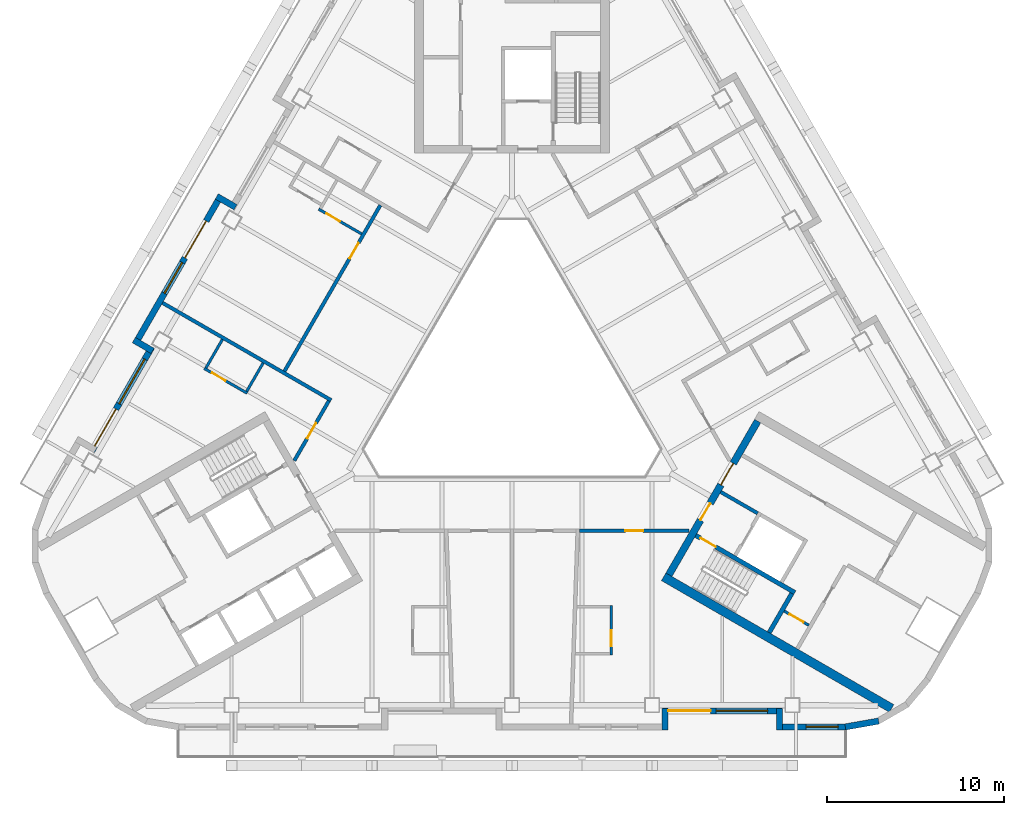
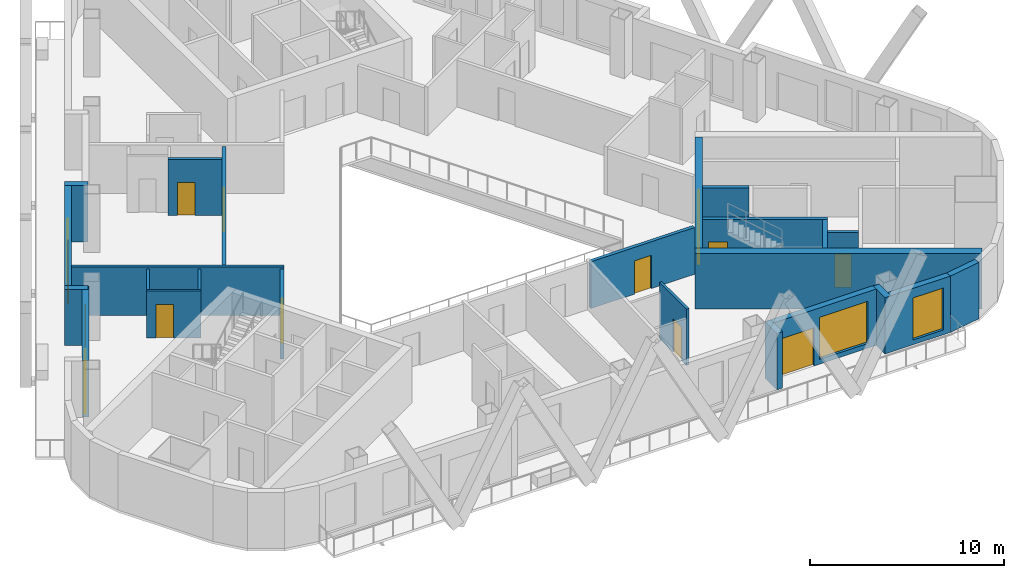
# One storey, part 4 of 13: 24 walls, 13 doors, 4 windows, 17 openings.
"""IFC4 building model written with IfcOpenShell, lengths in metres."""

from ifc_helpers import new_model, si_unit, direction, frame, frame_2d, origin, place, context, subcontext, project, spatial, rectangle, extrude, material, layer, layer_set, type_object, element, fill, save


model = new_model("IFC4")

# Units and contexts
model_context = context("Model", 3, precision=1e-05, world=origin(), true_north=direction((0.0, 1.0)))
body_context = subcontext(model_context, "Body", "Model", "MODEL_VIEW")
ifc_project = project(units=[si_unit("LENGTHUNIT", "METRE"), si_unit("AREAUNIT", "SQUARE_METRE"), si_unit("VOLUMEUNIT", "CUBIC_METRE"), si_unit("PLANEANGLEUNIT", "RADIAN"), si_unit("MASSUNIT", "GRAM", prefix="KILO")], contexts=[model_context])

# Site, building, storey
site_placement = place(None, origin())
site = spatial("IfcSite", under=ifc_project, at=site_placement, CompositionType="ELEMENT")
building_placement = place(site_placement, origin())
building = spatial("IfcBuilding", under=site, at=building_placement, Name="Apuvela Tower Hotel", CompositionType="ELEMENT")
storey_placement = place(building_placement, frame((0.0, 0.0, 183.60009765625)))
storey = spatial("IfcBuildingStorey", under=building, at=storey_placement, Name="L44", CompositionType="ELEMENT", Elevation=183.60009765625)

# Wall, openings, doors
ifc_material_1 = material(Name="Concrete C50/60", Category="concrete")
ifc_layer_1 = layer(ifc_material_1, 0.39990234375)
ifc_layer_set_1 = layer_set([ifc_layer_1], Name="COR-WALL-CORE-400")
wall_type_1 = type_object("IfcWallType", Name="COR-WALL-CORE-400", PredefinedType="SHEAR", material=ifc_layer_set_1)
wall_1_placement = place(storey_placement, frame((8.844970703125, -10.880126953125, 0.0), z_axis=(0.0, 0.0, 1.0), x_axis=(0.500004234368, 0.866022959057, 0.0)))
wall_1 = element("IfcWall", 1, at=wall_1_placement, inside=storey, type_object=wall_type_1, Name="Core wall SE", PredefinedType="SHEAR", context=body_context, shape_type="SweptSolid", body=[
    extrude(rectangle(XDim=10.0, YDim=0.39990234375, at=frame_2d((5.0, 0.0))), origin(), (0.0, 0.0, 1.0), 3.5),
])
opening_1_placement = place(wall_1_placement, frame((3.550048828125, 0.0, 0.0)))
opening_1 = element("IfcOpeningElement", 2, at=opening_1_placement, cuts=wall_1, Name="Opening E-FD", PredefinedType="OPENING", context=body_context, shape_type="SweptSolid", body=[
    extrude(rectangle(XDim=1.10009765625, YDim=2.10009765625, at=frame_2d((0.550048828125, 1.050048828125))), frame((0.0, 0.2099609375, 0.0), z_axis=(0.0, -1.0, 0.0), x_axis=(1.0, 0.0, 0.0)), (0.0, 0.0, 1.0), 0.419921875),
])
opening_2_placement = place(wall_1_placement, frame((5.85009765625, 0.0, 0.0)))
opening_2 = element("IfcOpeningElement", 3, at=opening_2_placement, cuts=wall_1, Name="Opening E-GD", PredefinedType="OPENING", context=body_context, shape_type="SweptSolid", body=[
    extrude(rectangle(XDim=1.39990234375, YDim=2.10009765625, at=frame_2d((0.699951171875, 1.050048828125))), frame((0.0, 0.2099609375, 0.0), z_axis=(0.0, -1.0, 0.0), x_axis=(1.0, 0.0, 0.0)), (0.0, 0.0, 1.0), 0.419921875),
])
ifc_material_2 = material(Name="Steel fire door, powder coated", Category="steel")
door_type_1 = type_object("IfcDoorType", Name="COR-FD-1100", OperationType="NOTDEFINED", PredefinedType="DOOR", material=ifc_material_2)
door_1_placement = place(opening_1_placement, frame((1.10009765625, 0.0, 0.0), z_axis=(0.0, 0.0, 1.0), x_axis=(-1.0, 0.0, 0.0)))
door_1 = element("IfcDoor", 4, at=door_1_placement, inside=storey, type_object=door_type_1, Name="Firefighting lobby door E-FD", OperationType="SINGLE_SWING_LEFT", OverallHeight=2.10009765625, OverallWidth=1.10009765625, PredefinedType="DOOR", context=body_context, shape_type="SweptSolid", body=[
    extrude(rectangle(XDim=1.10009765625, YDim=2.10009765625, at=frame_2d((0.550048828125, 1.050048828125))), frame((0.0, 0.02490234375, 0.0), z_axis=(0.0, -1.0, 0.0), x_axis=(1.0, 0.0, 0.0)), (0.0, 0.0, 1.0), 0.050048828125),
])
fill(opening_1, door_1)
ifc_material_3 = material(Name="Glazed steel fire door", Category="steel")
door_type_2 = type_object("IfcDoorType", Name="COR-GD-1400", OperationType="DOUBLE_DOOR_SINGLE_SWING", PredefinedType="DOOR", material=ifc_material_3)
door_2_placement = place(opening_2_placement, frame((1.39990234375, 0.0, 0.0), z_axis=(0.0, 0.0, 1.0), x_axis=(-1.0, 0.0, 0.0)))
door_2 = element("IfcDoor", 5, at=door_2_placement, inside=storey, type_object=door_type_2, Name="Lift lobby door E-GD", OperationType="DOUBLE_DOOR_SINGLE_SWING", OverallHeight=2.10009765625, OverallWidth=1.39990234375, PredefinedType="DOOR", context=body_context, shape_type="SweptSolid", body=[
    extrude(rectangle(XDim=1.39990234375, YDim=2.10009765625, at=frame_2d((0.699951171875, 1.050048828125))), frame((0.0, 0.02490234375, 0.0), z_axis=(0.0, -1.0, 0.0), x_axis=(1.0, 0.0, 0.0)), (0.0, 0.0, 1.0), 0.050048828125),
])
fill(opening_2, door_2)

# Wall
ifc_layer_2 = layer(ifc_material_1, 0.5)
ifc_layer_set_2 = layer_set([ifc_layer_2], Name="COR-WALL-CORE-500")
wall_type_2 = type_object("IfcWallType", Name="COR-WALL-CORE-500", PredefinedType="SHEAR", material=ifc_layer_set_2)
wall_2_placement = place(storey_placement, frame((8.546630859375, -10.99658203125, 0.0), z_axis=(0.0, 0.0, 1.0), x_axis=(0.866025009528, -0.500000682871, 0.0)))
element("IfcWall", 6, at=wall_2_placement, inside=storey, type_object=wall_type_2, Name="Core wall SE", PredefinedType="SHEAR", context=body_context, shape_type="SweptSolid", body=[
    extrude(rectangle(XDim=14.8369140625, YDim=0.5, at=frame_2d((7.41845703125, 0.0))), origin(), (0.0, 0.0, 1.0), 3.5),
])

# Wall, opening, door
ifc_material_4 = material(Name="Blockwork 150 mm plastered", Category="masonry")
ifc_layer_3 = layer(ifc_material_4, 0.14990234375)
ifc_layer_set_3 = layer_set([ifc_layer_3], Name="COR-WALL-PART-150")
wall_type_3 = type_object("IfcWallType", Name="COR-WALL-PART-150", PredefinedType="PARTITIONING", material=ifc_layer_set_3)
wall_3_placement = place(storey_placement, frame((15.341552734375, -12.927734375, 0.0), z_axis=(0.0, 0.0, 1.0), x_axis=(0.865989903783, -0.500061482766, 0.0)))
wall_3 = element("IfcWall", 7, at=wall_3_placement, inside=storey, type_object=wall_type_3, Name="Partition SE", PredefinedType="PARTITIONING", context=body_context, shape_type="SweptSolid", body=[
    extrude(rectangle(XDim=1.599853515625, YDim=0.14990234375, at=frame_2d((0.7998046875, 0.0))), origin(), (0.0, 0.0, 1.0), 3.5),
])
opening_3_placement = place(wall_3_placement, frame((0.35009765625, 0.0, 0.0)))
opening_3 = element("IfcOpeningElement", 8, at=opening_3_placement, cuts=wall_3, Name="Opening E-RD", PredefinedType="OPENING", context=body_context, shape_type="SweptSolid", body=[
    extrude(rectangle(XDim=0.89990234375, YDim=2.10009765625, at=frame_2d((0.449951171875, 1.050048828125))), frame((0.0, 0.0849609375, 0.0), z_axis=(0.0, -1.0, 0.0), x_axis=(1.0, 0.0, 0.0)), (0.0, 0.0, 1.0), 0.169921875),
])
ifc_material_5 = material(Name="Steel access door, powder coated", Category="steel")
door_type_3 = type_object("IfcDoorType", Name="COR-RD-900", OperationType="NOTDEFINED", PredefinedType="DOOR", material=ifc_material_5)
door_3_placement = place(opening_3_placement, frame((0.89990234375, 0.0, 0.0), z_axis=(0.0, 0.0, 1.0), x_axis=(-1.0, 0.0, 0.0)))
door_3 = element("IfcDoor", 9, at=door_3_placement, inside=storey, type_object=door_type_3, Name="Riser door E-RD", OperationType="SINGLE_SWING_LEFT", OverallHeight=2.10009765625, OverallWidth=0.89990234375, PredefinedType="DOOR", context=body_context, shape_type="SweptSolid", body=[
    extrude(rectangle(XDim=0.89990234375, YDim=2.10009765625, at=frame_2d((0.449951171875, 1.050048828125))), frame((0.0, 0.02490234375, 0.0), z_axis=(0.0, -1.0, 0.0), x_axis=(1.0, 0.0, 0.0)), (0.0, 0.0, 1.0), 0.050048828125),
])
fill(opening_3, door_3)

# Wall
ifc_layer_4 = layer(ifc_material_1, 0.199951171875)
ifc_layer_set_4 = layer_set([ifc_layer_4], Name="COR-WALL-SHAFT-200")
wall_type_4 = type_object("IfcWallType", Name="COR-WALL-SHAFT-200", PredefinedType="SHEAR", material=ifc_layer_set_4)
wall_4_placement = place(storey_placement, frame((11.76806640625, -6.217041015625, 0.0), z_axis=(0.0, 0.0, 1.0), x_axis=(0.866050077142, -0.499957262057, 0.0)))
element("IfcWall", 10, at=wall_4_placement, inside=storey, type_object=wall_type_4, Name="Shaft wall SE", PredefinedType="SHEAR", context=body_context, shape_type="SweptSolid", body=[
    extrude(rectangle(XDim=2.400146484375, YDim=0.199951171875, at=frame_2d((1.2001953125, 0.0))), origin(), (0.0, 0.0, 1.0), 3.5),
])

# Wall, opening, door
ifc_layer_5 = layer(ifc_material_1, 0.25)
ifc_layer_set_5 = layer_set([ifc_layer_5], Name="COR-WALL-STAIR-250")
wall_type_5 = type_object("IfcWallType", Name="COR-WALL-STAIR-250", PredefinedType="SHEAR", material=ifc_layer_set_5)
wall_5_placement = place(storey_placement, frame((10.355712890625, -8.66357421875, 0.0), z_axis=(0.0, 0.0, 1.0), x_axis=(0.866028629588, -0.499994412703, 0.0)))
wall_5 = element("IfcWall", 11, at=wall_5_placement, inside=storey, type_object=wall_type_5, Name="Stair wall SE", PredefinedType="SHEAR", context=body_context, shape_type="SweptSolid", body=[
    extrude(rectangle(XDim=6.44970703125, YDim=0.25, at=frame_2d((3.224853515625, 0.0))), origin(), (0.0, 0.0, 1.0), 3.5),
])
opening_4_placement = place(wall_5_placement, frame((0.300048828125, 0.0, 0.0)))
opening_4 = element("IfcOpeningElement", 12, at=opening_4_placement, cuts=wall_5, Name="Opening E-SD", PredefinedType="OPENING", context=body_context, shape_type="SweptSolid", body=[
    extrude(rectangle(XDim=1.0, YDim=2.10009765625, at=frame_2d((0.5, 1.050048828125))), frame((0.0, 0.135009765625, 0.0), z_axis=(0.0, -1.0, 0.0), x_axis=(1.0, 0.0, 0.0)), (0.0, 0.0, 1.0), 0.27001953125),
])
door_type_4 = type_object("IfcDoorType", Name="COR-SD-1000", OperationType="NOTDEFINED", PredefinedType="DOOR", material=ifc_material_2)
door_4_placement = place(opening_4_placement, frame((1.0, 0.0, 0.0), z_axis=(0.0, 0.0, 1.0), x_axis=(-1.0, 0.0, 0.0)))
door_4 = element("IfcDoor", 13, at=door_4_placement, inside=storey, type_object=door_type_4, Name="Stair door E-SD", OperationType="SINGLE_SWING_LEFT", OverallHeight=2.10009765625, OverallWidth=1.0, PredefinedType="DOOR", context=body_context, shape_type="SweptSolid", body=[
    extrude(rectangle(XDim=1.0, YDim=2.10009765625, at=frame_2d((0.5, 1.050048828125))), frame((0.0, 0.02490234375, 0.0), z_axis=(0.0, -1.0, 0.0), x_axis=(1.0, 0.0, 0.0)), (0.0, 0.0, 1.0), 0.050048828125),
])
fill(opening_4, door_4)

# Walls
wall_6_placement = place(storey_placement, frame((14.49560546875, -14.142578125, 0.0), z_axis=(0.0, 0.0, 1.0), x_axis=(0.500062241894, 0.865989465428, 0.0)))
element("IfcWall", 14, at=wall_6_placement, inside=storey, type_object=wall_type_5, Name="Stair wall SE", PredefinedType="SHEAR", context=body_context, shape_type="SweptSolid", body=[
    extrude(rectangle(XDim=2.550048828125, YDim=0.25, at=frame_2d((1.27490234375, 0.0))), origin(), (0.0, 0.0, 1.0), 3.5),
])
ifc_material_6 = material(Name="Concrete C40/50, dark pigmented precast panel", Category="concrete")
ifc_layer_6 = layer(ifc_material_6, 0.35009765625)
ifc_layer_set_6 = layer_set([ifc_layer_6], Name="ENV-WALL-350")
wall_type_6 = type_object("IfcWallType", Name="ENV-WALL-350", PredefinedType="SOLIDWALL", material=ifc_layer_set_6)
wall_7_placement = place(storey_placement, frame((-15.580810546875, 9.8330078125, 0.0), z_axis=(0.0, 0.0, 1.0), x_axis=(-0.866055662726, 0.499947586314, 0.0)))
element("IfcWall", 15, at=wall_7_placement, inside=storey, type_object=wall_type_6, Name="External wall L44-04", PredefinedType="SOLIDWALL", context=body_context, shape_type="SweptSolid", body=[
    extrude(rectangle(XDim=1.220458984375, YDim=0.35009765625, at=frame_2d((0.6103515625, 0.0))), origin(), (0.0, 0.0, 1.0), 3.5498046875),
])

# Wall, openings, door, window
wall_8_placement = place(storey_placement, frame((-16.3984375, 10.507080078125, 0.0), z_axis=(0.0, 0.0, 1.0), x_axis=(-0.499999142773, -0.866025898704, 0.0)))
wall_8 = element("IfcWall", 16, at=wall_8_placement, inside=storey, type_object=wall_type_6, Name="External wall L44-05", PredefinedType="SOLIDWALL", context=body_context, shape_type="SweptSolid", body=[
    extrude(rectangle(XDim=9.7001953125, YDim=0.35009765625, at=frame_2d((4.85009765625, 0.0))), origin(), (0.0, 0.0, 1.0), 3.5498046875),
])
opening_5_placement = place(wall_8_placement, frame((1.67529296875, 0.0, 0.0)))
opening_5 = element("IfcOpeningElement", 17, at=opening_5_placement, cuts=wall_8, Name="Opening BD24", PredefinedType="OPENING", context=body_context, shape_type="SweptSolid", body=[
    extrude(rectangle(XDim=2.39990234375, YDim=2.39990234375, at=frame_2d((1.199951171875, 1.199951171875))), frame((0.0, 0.18505859375, 0.0), z_axis=(0.0, -1.0, 0.0), x_axis=(1.0, 0.0, 0.0)), (0.0, 0.0, 1.0), 0.3701171875),
])
opening_6_placement = place(wall_8_placement, frame((4.37548828125, 0.0, 0.300048828125)))
opening_6 = element("IfcOpeningElement", 18, at=opening_6_placement, cuts=wall_8, Name="Opening WN20", PredefinedType="OPENING", context=body_context, shape_type="SweptSolid", body=[
    extrude(rectangle(XDim=2.0, YDim=2.64990234375, at=frame_2d((1.0, 1.324951171875))), frame((0.0, 0.18505859375, 0.0), z_axis=(0.0, -1.0, 0.0), x_axis=(1.0, 0.0, 0.0)), (0.0, 0.0, 1.0), 0.3701171875),
])
ifc_material_7 = material(Name="Aluminium 6063-T6, dark bronze anodised frame with dark tinted laminated glass", Category="aluminium")
door_type_5 = type_object("IfcDoorType", Name="ENV-DOOR-BALCONY-2400x2400", OperationType="SLIDING_TO_LEFT", PredefinedType="DOOR", material=ifc_material_7)
door_5_placement = place(opening_5_placement, frame((2.39990234375, 0.0, 0.0), z_axis=(0.0, 0.0, 1.0), x_axis=(-1.0, 0.0, 0.0)))
door_5 = element("IfcDoor", 19, at=door_5_placement, inside=storey, type_object=door_type_5, Name="Balcony door BD24", OperationType="SLIDING_TO_LEFT", OverallHeight=2.39990234375, OverallWidth=2.39990234375, PredefinedType="DOOR", context=body_context, shape_type="SweptSolid", body=[
    extrude(rectangle(XDim=2.39990234375, YDim=2.39990234375, at=frame_2d((1.199951171875, 1.199951171875))), frame((0.0, 0.02490234375, 0.0), z_axis=(0.0, -1.0, 0.0), x_axis=(1.0, 0.0, 0.0)), (0.0, 0.0, 1.0), 0.050048828125),
])
fill(opening_5, door_5)
ifc_material_8 = material(Name="Glass, dark tinted laminated insulated glazing unit", Category="glass")
window_type_1 = type_object("IfcWindowType", Name="ENV-WIN-2000x2650", PartitioningType="SINGLE_PANEL", PredefinedType="WINDOW", material=ifc_material_8)
window_1_placement = place(opening_6_placement, origin())
window_1 = element("IfcWindow", 20, at=window_1_placement, inside=storey, type_object=window_type_1, Name="Window WN20", OverallHeight=2.64990234375, OverallWidth=2.0, PartitioningType="SINGLE_PANEL", PredefinedType="WINDOW", context=body_context, shape_type="SweptSolid", body=[
    extrude(rectangle(XDim=2.0, YDim=2.64990234375, at=frame_2d((1.0, 1.324951171875))), frame((0.0, 0.030029296875, 0.0), z_axis=(0.0, -1.0, 0.0), x_axis=(1.0, 0.0, 0.0)), (0.0, 0.0, 1.0), 0.06005859375),
])
fill(opening_6, window_1)

# Wall
wall_9_placement = place(storey_placement, frame((-21.3125, 2.345703125, 0.0), z_axis=(0.0, 0.0, 1.0), x_axis=(0.866005645448, -0.500034220881, 0.0)))
element("IfcWall", 21, at=wall_9_placement, inside=storey, type_object=wall_type_6, Name="External wall L44-06", PredefinedType="SOLIDWALL", context=body_context, shape_type="SweptSolid", body=[
    extrude(rectangle(XDim=1.22021484375, YDim=0.35009765625, at=frame_2d((0.610107421875, 0.0))), origin(), (0.0, 0.0, 1.0), 3.5498046875),
])

# Wall, openings, door, window
wall_10_placement = place(storey_placement, frame((-20.30908203125, 1.93359375, 0.0), z_axis=(0.0, 0.0, 1.0), x_axis=(-0.499992114976, -0.866029956157, 0.0)))
wall_10 = element("IfcWall", 22, at=wall_10_placement, inside=storey, type_object=wall_type_6, Name="External wall L44-07", PredefinedType="SOLIDWALL", context=body_context, shape_type="SweptSolid", body=[
    extrude(rectangle(XDim=6.73974609375, YDim=0.35009765625, at=frame_2d((3.369873046875, 0.0))), origin(), (0.0, 0.0, 1.0), 3.5498046875),
])
opening_7_placement = place(wall_10_placement, frame((4.02001953125, 0.0, 0.0)))
opening_7 = element("IfcOpeningElement", 23, at=opening_7_placement, cuts=wall_10, Name="Opening BD24", PredefinedType="OPENING", context=body_context, shape_type="SweptSolid", body=[
    extrude(rectangle(XDim=2.39990234375, YDim=2.39990234375, at=frame_2d((1.199951171875, 1.199951171875))), frame((0.0, 0.18505859375, 0.0), z_axis=(0.0, -1.0, 0.0), x_axis=(1.0, 0.0, 0.0)), (0.0, 0.0, 1.0), 0.3701171875),
])
opening_8_placement = place(wall_10_placement, frame((0.77001953125, 0.0, 0.300048828125)))
opening_8 = element("IfcOpeningElement", 24, at=opening_8_placement, cuts=wall_10, Name="Opening WN29", PredefinedType="OPENING", context=body_context, shape_type="SweptSolid", body=[
    extrude(rectangle(XDim=2.89990234375, YDim=2.64990234375, at=frame_2d((1.449951171875, 1.324951171875))), frame((0.0, 0.18505859375, 0.0), z_axis=(0.0, -1.0, 0.0), x_axis=(1.0, 0.0, 0.0)), (0.0, 0.0, 1.0), 0.3701171875),
])
door_6_placement = place(opening_7_placement, frame((2.39990234375, 0.0, 0.0), z_axis=(0.0, 0.0, 1.0), x_axis=(-1.0, 0.0, 0.0)))
door_6 = element("IfcDoor", 25, at=door_6_placement, inside=storey, type_object=door_type_5, Name="Balcony door BD24", OperationType="SLIDING_TO_LEFT", OverallHeight=2.39990234375, OverallWidth=2.39990234375, PredefinedType="DOOR", context=body_context, shape_type="SweptSolid", body=[
    extrude(rectangle(XDim=2.39990234375, YDim=2.39990234375, at=frame_2d((1.199951171875, 1.199951171875))), frame((0.0, 0.02490234375, 0.0), z_axis=(0.0, -1.0, 0.0), x_axis=(1.0, 0.0, 0.0)), (0.0, 0.0, 1.0), 0.050048828125),
])
fill(opening_7, door_6)
window_type_2 = type_object("IfcWindowType", Name="ENV-WIN-2900x2650", PartitioningType="SINGLE_PANEL", PredefinedType="WINDOW", material=ifc_material_8)
window_2_placement = place(opening_8_placement, origin())
window_2 = element("IfcWindow", 26, at=window_2_placement, inside=storey, type_object=window_type_2, Name="Window WN29", OverallHeight=2.64990234375, OverallWidth=2.89990234375, PartitioningType="SINGLE_PANEL", PredefinedType="WINDOW", context=body_context, shape_type="SweptSolid", body=[
    extrude(rectangle(XDim=2.89990234375, YDim=2.64990234375, at=frame_2d((1.449951171875, 1.324951171875))), frame((0.0, 0.030029296875, 0.0), z_axis=(0.0, -1.0, 0.0), x_axis=(1.0, 0.0, 0.0)), (0.0, 0.0, 1.0), 0.06005859375),
])
fill(opening_8, window_2)

# Wall
wall_11_placement = place(storey_placement, frame((8.625, -19.6298828125, 0.0), z_axis=(0.0, 0.0, 1.0), x_axis=(0.0, 1.0, 0.0)))
element("IfcWall", 27, at=wall_11_placement, inside=storey, type_object=wall_type_6, Name="External wall L44-22", PredefinedType="SOLIDWALL", context=body_context, shape_type="SweptSolid", body=[
    extrude(rectangle(XDim=1.219970703125, YDim=0.35009765625, at=frame_2d((0.60986328125, 0.0))), origin(), (0.0, 0.0, 1.0), 3.5498046875),
])

# Wall, openings, door, window
wall_12_placement = place(storey_placement, frame((8.47998046875, -18.554931640625, 0.0), z_axis=(0.0, 0.0, 1.0), x_axis=(1.0, 0.0, 0.0)))
wall_12 = element("IfcWall", 28, at=wall_12_placement, inside=storey, type_object=wall_type_6, Name="External wall L44-23", PredefinedType="SOLIDWALL", context=body_context, shape_type="SweptSolid", body=[
    extrude(rectangle(XDim=6.739990234375, YDim=0.35009765625, at=frame_2d((3.3701171875, 0.0))), origin(), (0.0, 0.0, 1.0), 3.5498046875),
])
opening_9_placement = place(wall_12_placement, frame((0.3203125, 0.0, 0.0)))
opening_9 = element("IfcOpeningElement", 29, at=opening_9_placement, cuts=wall_12, Name="Opening BD24", PredefinedType="OPENING", context=body_context, shape_type="SweptSolid", body=[
    extrude(rectangle(XDim=2.39990234375, YDim=2.39990234375, at=frame_2d((1.199951171875, 1.199951171875))), frame((0.0, 0.18505859375, 0.0), z_axis=(0.0, -1.0, 0.0), x_axis=(1.0, 0.0, 0.0)), (0.0, 0.0, 1.0), 0.3701171875),
])
opening_10_placement = place(wall_12_placement, frame((3.020263671875, 0.0, 0.300048828125)))
opening_10 = element("IfcOpeningElement", 30, at=opening_10_placement, cuts=wall_12, Name="Opening WN29", PredefinedType="OPENING", context=body_context, shape_type="SweptSolid", body=[
    extrude(rectangle(XDim=2.89990234375, YDim=2.64990234375, at=frame_2d((1.449951171875, 1.324951171875))), frame((0.0, 0.18505859375, 0.0), z_axis=(0.0, -1.0, 0.0), x_axis=(1.0, 0.0, 0.0)), (0.0, 0.0, 1.0), 0.3701171875),
])
door_7_placement = place(opening_9_placement, frame((2.39990234375, 0.0, 0.0), z_axis=(0.0, 0.0, 1.0), x_axis=(-1.0, 0.0, 0.0)))
door_7 = element("IfcDoor", 31, at=door_7_placement, inside=storey, type_object=door_type_5, Name="Balcony door BD24", OperationType="SLIDING_TO_LEFT", OverallHeight=2.39990234375, OverallWidth=2.39990234375, PredefinedType="DOOR", context=body_context, shape_type="SweptSolid", body=[
    extrude(rectangle(XDim=2.39990234375, YDim=2.39990234375, at=frame_2d((1.199951171875, 1.199951171875))), frame((0.0, 0.02490234375, 0.0), z_axis=(0.0, -1.0, 0.0), x_axis=(1.0, 0.0, 0.0)), (0.0, 0.0, 1.0), 0.050048828125),
])
fill(opening_9, door_7)
window_3_placement = place(opening_10_placement, origin())
window_3 = element("IfcWindow", 32, at=window_3_placement, inside=storey, type_object=window_type_2, Name="Window WN29", OverallHeight=2.64990234375, OverallWidth=2.89990234375, PartitioningType="SINGLE_PANEL", PredefinedType="WINDOW", context=body_context, shape_type="SweptSolid", body=[
    extrude(rectangle(XDim=2.89990234375, YDim=2.64990234375, at=frame_2d((1.449951171875, 1.324951171875))), frame((0.0, 0.030029296875, 0.0), z_axis=(0.0, -1.0, 0.0), x_axis=(1.0, 0.0, 0.0)), (0.0, 0.0, 1.0), 0.06005859375),
])
fill(opening_10, window_3)

# Wall
wall_13_placement = place(storey_placement, frame((15.074951171875, -18.409912109375, 0.0), z_axis=(0.0, 0.0, 1.0), x_axis=(0.0, -1.0, 0.0)))
element("IfcWall", 33, at=wall_13_placement, inside=storey, type_object=wall_type_6, Name="External wall L44-24", PredefinedType="SOLIDWALL", context=body_context, shape_type="SweptSolid", body=[
    extrude(rectangle(XDim=1.219970703125, YDim=0.35009765625, at=frame_2d((0.60986328125, 0.0))), origin(), (0.0, 0.0, 1.0), 3.5498046875),
])

# Wall, opening, window
wall_14_placement = place(storey_placement, frame((14.89990234375, -19.455078125, 0.0), z_axis=(0.0, 0.0, 1.0), x_axis=(1.0, 0.0, 0.0)))
wall_14 = element("IfcWall", 34, at=wall_14_placement, inside=storey, type_object=wall_type_6, Name="External wall L44-25", PredefinedType="SOLIDWALL", context=body_context, shape_type="SweptSolid", body=[
    extrude(rectangle(XDim=3.916015625, YDim=0.35009765625, at=frame_2d((1.9580078125, 0.0))), origin(), (0.0, 0.0, 1.0), 3.5498046875),
])
opening_11_placement = place(wall_14_placement, frame((1.674560546875, 0.0, 0.300048828125)))
opening_11 = element("IfcOpeningElement", 35, at=opening_11_placement, cuts=wall_14, Name="Opening WN18", PredefinedType="OPENING", context=body_context, shape_type="SweptSolid", body=[
    extrude(rectangle(XDim=1.800048828125, YDim=2.64990234375, at=frame_2d((0.89990234375, 1.324951171875))), frame((0.0, 0.18505859375, 0.0), z_axis=(0.0, -1.0, 0.0), x_axis=(1.0, 0.0, 0.0)), (0.0, 0.0, 1.0), 0.3701171875),
])
window_type_3 = type_object("IfcWindowType", Name="ENV-WIN-1800x2650", PartitioningType="SINGLE_PANEL", PredefinedType="WINDOW", material=ifc_material_8)
window_4_placement = place(opening_11_placement, origin())
window_4 = element("IfcWindow", 36, at=window_4_placement, inside=storey, type_object=window_type_3, Name="Window WN18", OverallHeight=2.64990234375, OverallWidth=1.800048828125, PartitioningType="SINGLE_PANEL", PredefinedType="WINDOW", context=body_context, shape_type="SweptSolid", body=[
    extrude(rectangle(XDim=1.800048828125, YDim=2.64990234375, at=frame_2d((0.89990234375, 1.324951171875))), frame((0.0, 0.030029296875, 0.0), z_axis=(0.0, -1.0, 0.0), x_axis=(1.0, 0.0, 0.0)), (0.0, 0.0, 1.0), 0.06005859375),
])
fill(opening_11, window_4)

# Walls
wall_15_placement = place(storey_placement, frame((18.785400390625, -19.457763671875, 0.0), z_axis=(0.0, 0.0, 1.0), x_axis=(0.984798995425, 0.173697837091, 0.0)))
element("IfcWall", 37, at=wall_15_placement, inside=storey, type_object=wall_type_6, Name="External wall L44-26", PredefinedType="SOLIDWALL", context=body_context, shape_type="SweptSolid", body=[
    extrude(rectangle(XDim=1.91015625, YDim=0.35009765625, at=frame_2d((0.955078125, 0.0))), origin(), (0.0, 0.0, 1.0), 3.5498046875),
])
ifc_material_9 = material(Name="Gypsum board partition on twin steel stud", Category="steel")
ifc_layer_7 = layer(ifc_material_9, 0.199951171875)
ifc_layer_set_7 = layer_set([ifc_layer_7], Name="GST-PW1")
wall_type_7 = type_object("IfcWallType", Name="GST-PW1", PredefinedType="PARTITIONING", material=ifc_layer_set_7)
wall_16_placement = place(storey_placement, frame((-19.697021484375, 4.44384765625, 0.0), z_axis=(0.0, 0.0, 1.0), x_axis=(0.866027479907, -0.499996404033, 0.0)))
element("IfcWall", 38, at=wall_16_placement, inside=storey, type_object=wall_type_7, Name="L44 partition 06", PredefinedType="PARTITIONING", context=body_context, shape_type="SweptSolid", body=[
    extrude(rectangle(XDim=10.97998046875, YDim=0.199951171875, at=frame_2d((5.489990234375, 0.0))), origin(), (0.0, 0.0, 1.0), 3.059814453125),
])

# Wall, opening, door
ifc_material_10 = material(Name="Gypsum board corridor wall on twin steel stud, acoustic", Category="steel")
ifc_layer_8 = layer(ifc_material_10, 0.199951171875)
ifc_layer_set_8 = layer_set([ifc_layer_8], Name="GST-PW2")
wall_type_8 = type_object("IfcWallType", Name="GST-PW2", PredefinedType="PARTITIONING", material=ifc_layer_set_8)
wall_17_placement = place(storey_placement, frame((9.98828125, -8.39990234375, 0.0), z_axis=(0.0, 0.0, 1.0), x_axis=(-1.0, 0.0, 0.0)))
wall_17 = element("IfcWall", 39, at=wall_17_placement, inside=storey, type_object=wall_type_8, Name="L44 partition 14", PredefinedType="PARTITIONING", context=body_context, shape_type="SweptSolid", body=[
    extrude(rectangle(XDim=6.184814453125, YDim=0.199951171875, at=frame_2d((3.09228515625, 0.0))), origin(), (0.0, 0.0, 1.0), 2.949951171875),
])
opening_12_placement = place(wall_17_placement, frame((2.59228515625, 0.0, 0.0)))
opening_12 = element("IfcOpeningElement", 40, at=opening_12_placement, cuts=wall_17, Name="Opening GD17-06", PredefinedType="OPENING", context=body_context, shape_type="SweptSolid", body=[
    extrude(rectangle(XDim=1.0, YDim=2.10009765625, at=frame_2d((0.5, 1.050048828125))), frame((0.0, 0.10986328125, 0.0), z_axis=(0.0, -1.0, 0.0), x_axis=(1.0, 0.0, 0.0)), (0.0, 0.0, 1.0), 0.219970703125),
])
ifc_material_11 = material(Name="Timber door leaf in steel frame", Category="steel")
door_type_6 = type_object("IfcDoorType", Name="GST-D1", OperationType="NOTDEFINED", PredefinedType="DOOR", material=ifc_material_11)
door_8_placement = place(opening_12_placement, origin())
door_8 = element("IfcDoor", 41, at=door_8_placement, inside=storey, type_object=door_type_6, Name="Door L44-06", OperationType="SINGLE_SWING_RIGHT", OverallHeight=2.10009765625, OverallWidth=1.0, PredefinedType="DOOR", context=body_context, shape_type="SweptSolid", body=[
    extrude(rectangle(XDim=1.0, YDim=2.10009765625, at=frame_2d((0.5, 1.050048828125))), frame((0.0, 0.02490234375, 0.0), z_axis=(0.0, -1.0, 0.0), x_axis=(1.0, 0.0, 0.0)), (0.0, 0.0, 1.0), 0.050048828125),
])
fill(opening_12, door_8)

wall_18_placement = place(storey_placement, frame((-12.82275390625, 0.590576171875, 0.0), z_axis=(0.0, 0.0, 1.0), x_axis=(0.500012057535, 0.866018442252, 0.0)))
wall_18 = element("IfcWall", 42, at=wall_18_placement, inside=storey, type_object=wall_type_8, Name="L44 partition 35", PredefinedType="PARTITIONING", context=body_context, shape_type="SweptSolid", body=[
    extrude(rectangle(XDim=10.800048828125, YDim=0.199951171875, at=frame_2d((5.39990234375, 0.0))), origin(), (0.0, 0.0, 1.0), 2.949951171875),
])
opening_13_placement = place(wall_18_placement, frame((7.35009765625, 0.0, 0.0)))
opening_13 = element("IfcOpeningElement", 43, at=opening_13_placement, cuts=wall_18, Name="Opening GD17-18", PredefinedType="OPENING", context=body_context, shape_type="SweptSolid", body=[
    extrude(rectangle(XDim=1.0, YDim=2.10009765625, at=frame_2d((0.5, 1.050048828125))), frame((0.0, 0.10986328125, 0.0), z_axis=(0.0, -1.0, 0.0), x_axis=(1.0, 0.0, 0.0)), (0.0, 0.0, 1.0), 0.219970703125),
])
door_9_placement = place(opening_13_placement, origin())
door_9 = element("IfcDoor", 44, at=door_9_placement, inside=storey, type_object=door_type_6, Name="Door L44-18", OperationType="SINGLE_SWING_LEFT", OverallHeight=2.10009765625, OverallWidth=1.0, PredefinedType="DOOR", context=body_context, shape_type="SweptSolid", body=[
    extrude(rectangle(XDim=1.0, YDim=2.10009765625, at=frame_2d((0.5, 1.050048828125))), frame((0.0, 0.02490234375, 0.0), z_axis=(0.0, -1.0, 0.0), x_axis=(1.0, 0.0, 0.0)), (0.0, 0.0, 1.0), 0.050048828125),
])
fill(opening_13, door_9)

wall_19_placement = place(storey_placement, frame((-12.268798828125, -4.449951171875, 0.0), z_axis=(0.0, 0.0, 1.0), x_axis=(0.500008716408, 0.866020371305, 0.0)))
wall_19 = element("IfcWall", 45, at=wall_19_placement, inside=storey, type_object=wall_type_8, Name="L44 partition 40", PredefinedType="PARTITIONING", context=body_context, shape_type="SweptSolid", body=[
    extrude(rectangle(XDim=3.88818359375, YDim=0.199951171875, at=frame_2d((1.944091796875, 0.0))), origin(), (0.0, 0.0, 1.0), 2.949951171875),
])
opening_14_placement = place(wall_19_placement, frame((1.444091796875, 0.0, 0.0)))
opening_14 = element("IfcOpeningElement", 46, at=opening_14_placement, cuts=wall_19, Name="Opening GD17-20", PredefinedType="OPENING", context=body_context, shape_type="SweptSolid", body=[
    extrude(rectangle(XDim=1.0, YDim=2.10009765625, at=frame_2d((0.5, 1.050048828125))), frame((0.0, 0.10986328125, 0.0), z_axis=(0.0, -1.0, 0.0), x_axis=(1.0, 0.0, 0.0)), (0.0, 0.0, 1.0), 0.219970703125),
])
door_10_placement = place(opening_14_placement, origin())
door_10 = element("IfcDoor", 47, at=door_10_placement, inside=storey, type_object=door_type_6, Name="Door L44-20", OperationType="SINGLE_SWING_RIGHT", OverallHeight=2.10009765625, OverallWidth=1.0, PredefinedType="DOOR", context=body_context, shape_type="SweptSolid", body=[
    extrude(rectangle(XDim=1.0, YDim=2.10009765625, at=frame_2d((0.5, 1.050048828125))), frame((0.0, 0.02490234375, 0.0), z_axis=(0.0, -1.0, 0.0), x_axis=(1.0, 0.0, 0.0)), (0.0, 0.0, 1.0), 0.050048828125),
])
fill(opening_14, door_10)

ifc_material_12 = material(Name="Moisture-resistant gypsum board wet wall on steel stud", Category="steel")
ifc_layer_9 = layer(ifc_material_12, 0.14990234375)
ifc_layer_set_9 = layer_set([ifc_layer_9], Name="GST-PW3")
wall_type_9 = type_object("IfcWallType", Name="GST-PW3", PredefinedType="PARTITIONING", material=ifc_layer_set_9)
wall_20_placement = place(storey_placement, frame((5.584228515625, -15.39990234375, 0.0), z_axis=(0.0, 0.0, 1.0), x_axis=(0.0, 1.0, 0.0)))
wall_20 = element("IfcWall", 48, at=wall_20_placement, inside=storey, type_object=wall_type_9, Name="L44 partition 15", PredefinedType="PARTITIONING", context=body_context, shape_type="SweptSolid", body=[
    extrude(rectangle(XDim=2.7998046875, YDim=0.14990234375, at=frame_2d((1.39990234375, 0.0))), origin(), (0.0, 0.0, 1.0), 3.5498046875),
])
opening_15_placement = place(wall_20_placement, frame((0.5, 0.0, 0.0)))
opening_15 = element("IfcOpeningElement", 49, at=opening_15_placement, cuts=wall_20, Name="Opening GD17-05", PredefinedType="OPENING", context=body_context, shape_type="SweptSolid", body=[
    extrude(rectangle(XDim=0.89990234375, YDim=2.10009765625, at=frame_2d((0.449951171875, 1.050048828125))), frame((0.0, 0.0849609375, 0.0), z_axis=(0.0, -1.0, 0.0), x_axis=(1.0, 0.0, 0.0)), (0.0, 0.0, 1.0), 0.169921875),
])
door_type_7 = type_object("IfcDoorType", Name="GST-D2", OperationType="NOTDEFINED", PredefinedType="DOOR", material=ifc_material_11)
door_11_placement = place(opening_15_placement, origin())
door_11 = element("IfcDoor", 50, at=door_11_placement, inside=storey, type_object=door_type_7, Name="Door L44-05", OperationType="SINGLE_SWING_LEFT", OverallHeight=2.10009765625, OverallWidth=0.89990234375, PredefinedType="DOOR", context=body_context, shape_type="SweptSolid", body=[
    extrude(rectangle(XDim=0.89990234375, YDim=2.10009765625, at=frame_2d((0.449951171875, 1.050048828125))), frame((0.0, 0.02490234375, 0.0), z_axis=(0.0, -1.0, 0.0), x_axis=(1.0, 0.0, 0.0)), (0.0, 0.0, 1.0), 0.050048828125),
])
fill(opening_15, door_11)

wall_21_placement = place(storey_placement, frame((-10.896728515625, 9.726318359375, 0.0), z_axis=(0.0, 0.0, 1.0), x_axis=(0.866056369097, -0.49994636267, 0.0)))
wall_21 = element("IfcWall", 51, at=wall_21_placement, inside=storey, type_object=wall_type_9, Name="L44 partition 36", PredefinedType="PARTITIONING", context=body_context, shape_type="SweptSolid", body=[
    extrude(rectangle(XDim=2.800048828125, YDim=0.14990234375, at=frame_2d((1.39990234375, 0.0))), origin(), (0.0, 0.0, 1.0), 3.5498046875),
])
opening_16_placement = place(wall_21_placement, frame((0.5, 0.0, 0.0)))
opening_16 = element("IfcOpeningElement", 52, at=opening_16_placement, cuts=wall_21, Name="Opening GD17-16", PredefinedType="OPENING", context=body_context, shape_type="SweptSolid", body=[
    extrude(rectangle(XDim=0.89990234375, YDim=2.10009765625, at=frame_2d((0.449951171875, 1.050048828125))), frame((0.0, 0.0849609375, 0.0), z_axis=(0.0, -1.0, 0.0), x_axis=(1.0, 0.0, 0.0)), (0.0, 0.0, 1.0), 0.169921875),
])
door_12_placement = place(opening_16_placement, origin())
door_12 = element("IfcDoor", 53, at=door_12_placement, inside=storey, type_object=door_type_7, Name="Door L44-16", OperationType="SINGLE_SWING_LEFT", OverallHeight=2.10009765625, OverallWidth=0.89990234375, PredefinedType="DOOR", context=body_context, shape_type="SweptSolid", body=[
    extrude(rectangle(XDim=0.89990234375, YDim=2.10009765625, at=frame_2d((0.449951171875, 1.050048828125))), frame((0.0, 0.02490234375, 0.0), z_axis=(0.0, -1.0, 0.0), x_axis=(1.0, 0.0, 0.0)), (0.0, 0.0, 1.0), 0.050048828125),
])
fill(opening_16, door_12)

wall_22_placement = place(storey_placement, frame((-17.349365234375, 0.75, 0.0), z_axis=(0.0, 0.0, 1.0), x_axis=(0.866056369097, -0.49994636267, 0.0)))
wall_22 = element("IfcWall", 54, at=wall_22_placement, inside=storey, type_object=wall_type_9, Name="L44 partition 41", PredefinedType="PARTITIONING", context=body_context, shape_type="SweptSolid", body=[
    extrude(rectangle(XDim=2.800048828125, YDim=0.14990234375, at=frame_2d((1.39990234375, 0.0))), origin(), (0.0, 0.0, 1.0), 2.949951171875),
])
opening_17_placement = place(wall_22_placement, frame((0.5, 0.0, 0.0)))
opening_17 = element("IfcOpeningElement", 55, at=opening_17_placement, cuts=wall_22, Name="Opening GD17-19", PredefinedType="OPENING", context=body_context, shape_type="SweptSolid", body=[
    extrude(rectangle(XDim=0.89990234375, YDim=2.10009765625, at=frame_2d((0.449951171875, 1.050048828125))), frame((0.0, 0.0849609375, 0.0), z_axis=(0.0, -1.0, 0.0), x_axis=(1.0, 0.0, 0.0)), (0.0, 0.0, 1.0), 0.169921875),
])
door_13_placement = place(opening_17_placement, origin())
door_13 = element("IfcDoor", 56, at=door_13_placement, inside=storey, type_object=door_type_7, Name="Door L44-19", OperationType="SINGLE_SWING_LEFT", OverallHeight=2.10009765625, OverallWidth=0.89990234375, PredefinedType="DOOR", context=body_context, shape_type="SweptSolid", body=[
    extrude(rectangle(XDim=0.89990234375, YDim=2.10009765625, at=frame_2d((0.449951171875, 1.050048828125))), frame((0.0, 0.02490234375, 0.0), z_axis=(0.0, -1.0, 0.0), x_axis=(1.0, 0.0, 0.0)), (0.0, 0.0, 1.0), 0.050048828125),
])
fill(opening_17, door_13)

# Walls
for number, where, z_axis, x_axis, name in (
    (57, (-16.32177734375, 2.379638671875, 0.0), (0.0, 0.0, 1.0), (-0.500042316284, -0.866000971088, 0.0), "L44 partition 42"),
    (58, (-14.02685546875, 1.0546875, 0.0), (0.0, 0.0, 1.0), (-0.500042316284, -0.866000971088, 0.0), "L44 partition 43"),
):
    element("IfcWall", number, at=place(storey_placement, frame(where, z_axis=z_axis, x_axis=x_axis)), inside=storey, type_object=wall_type_9, Name=name, PredefinedType="PARTITIONING", context=body_context, shape_type="SweptSolid", body=[
        extrude(rectangle(XDim=1.849853515625, YDim=0.14990234375, at=frame_2d((0.9248046875, 0.0))), origin(), (0.0, 0.0, 1.0), 2.949951171875),
    ])

save(model, "model.ifc")
